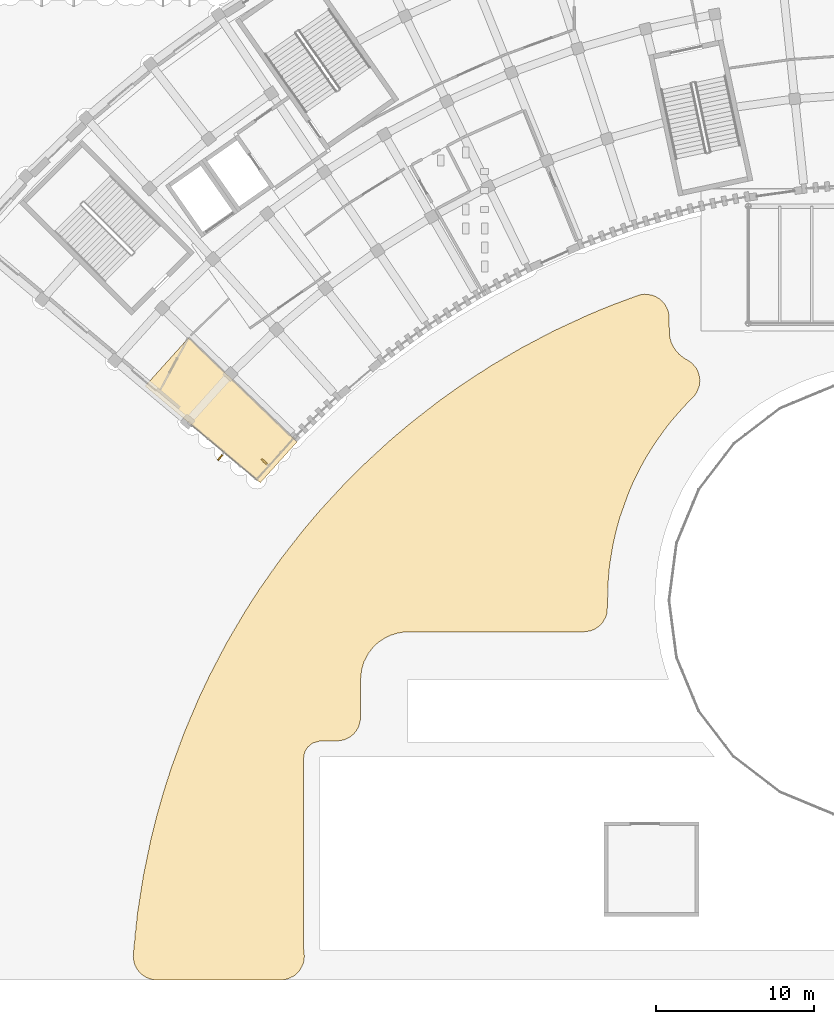
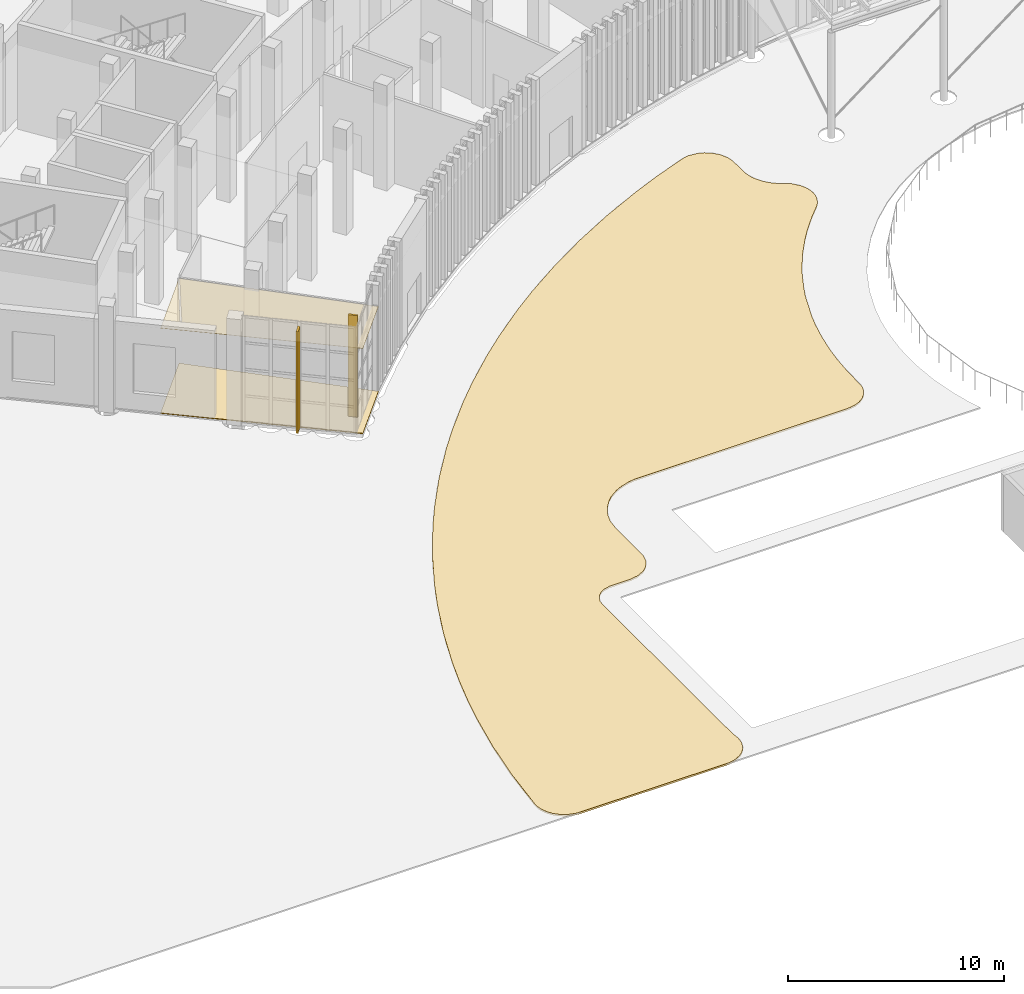
# One storey, part 116 of 155: 3 coverings, 2 shading devices.
"""IFC4 building model written with IfcOpenShell, lengths in metres."""

from ifc_helpers import new_model, si_unit, direction, frame, origin, origin_2d, place, context, subcontext, project, spatial, polyline, rectangle, outline, extrude, material, layer, layer_set, type_object, element, save


model = new_model("IFC4")

# Units and contexts
model_context = context("Model", 3, precision=1e-05, world=origin(), true_north=direction((0.0, 1.0)))
body_context = subcontext(model_context, "Body", "Model", "MODEL_VIEW")
ifc_project = project(units=[si_unit("LENGTHUNIT", "METRE"), si_unit("AREAUNIT", "SQUARE_METRE"), si_unit("VOLUMEUNIT", "CUBIC_METRE"), si_unit("PLANEANGLEUNIT", "RADIAN"), si_unit("MASSUNIT", "GRAM", prefix="KILO")], contexts=[model_context])

# Site, building, storey
site_placement = place(None, origin())
site = spatial("IfcSite", under=ifc_project, at=site_placement, CompositionType="ELEMENT")
building_placement = place(site_placement, origin())
building = spatial("IfcBuilding", under=site, at=building_placement, Name="Lunette Opera House", CompositionType="ELEMENT")
storey_placement = place(building_placement, origin())
storey = spatial("IfcBuildingStorey", under=building, at=storey_placement, Name="L00", CompositionType="ELEMENT", Elevation=0.0)

# Covering
ifc_material_1 = material(Name="Turf on topsoil")
ifc_layer_1 = layer(ifc_material_1, 0.10009765625)
ifc_layer_set_1 = layer_set([ifc_layer_1], Name="Turf on topsoil")
covering_type_1 = type_object("IfcCoveringType", Name="FORECOURT LAWN 100", PredefinedType="FLOORING", material=ifc_layer_set_1)
covering_1_placement = place(storey_placement, frame((0.0, 0.0, -0.10009765625)))
element("IfcCovering", 1, at=covering_1_placement, inside=storey, type_object=covering_type_1, Name="Forecourt lawn 001", PredefinedType="FLOORING", context=body_context, shape_type="SweptSolid", body=[
    extrude(outline(polyline([(49.489013671875, 2.007080078125), (49.2041015625, 2.06298828125), (48.93603515625, 2.172119140625), (48.694091796875, 2.3310546875), (48.486083984375, 2.532958984375), (48.322021484375, 2.77197265625), (48.2060546875, 3.0380859375), (48.14404296875, 3.321044921875), (48.137939453125, 3.610107421875), (48.408935546875, 6.2529296875), (48.778076171875, 8.60498046875), (49.257080078125, 10.912109375), (49.632080078125, 12.410888671875), (50.06298828125, 13.922119140625), (50.551025390625, 15.44091796875), (51.364013671875, 17.652099609375), (52.27392578125, 19.799072265625), (52.9560546875, 21.240966796875), (54.050048828125, 23.326904296875), (55.23193359375, 25.3369140625), (56.095947265625, 26.677978515625), (57.452880859375, 28.60302734375), (58.887939453125, 30.44091796875), (59.919921875, 31.657958984375), (61.5, 33.3720703125), (62.6279296875, 34.5), (64.342041015625, 36.080078125), (65.55908203125, 37.112060546875), (67.39697265625, 38.547119140625), (68.693115234375, 39.47607421875), (70.6630859375, 40.76806640625), (72.694091796875, 41.9619140625), (74.759033203125, 43.0439453125), (76.89697265625, 44.034912109375), (78.37109375, 44.64501953125), (80.15087890625, 45.298095703125), (80.447998046875, 45.339111328125), (80.89501953125, 45.285888671875), (81.176025390625, 45.178955078125), (81.428955078125, 45.01708984375), (81.736083984375, 44.68896484375), (81.93310546875, 44.283935546875), (81.991943359375, 43.989990234375), (82.014892578125, 42.76806640625), (82.076904296875, 42.455078125), (82.16796875, 42.200927734375), (82.35888671875, 41.85888671875), (82.613037109375, 41.56103515625), (82.85888671875, 41.35888671875), (83.43994140625, 40.986083984375), (83.717041015625, 40.653076171875), (83.843994140625, 40.39306640625), (83.91796875, 40.114013671875), (83.93701171875, 39.824951171875), (83.90087890625, 39.5390625), (83.74609375, 39.135009765625), (83.580078125, 38.89697265625), (82.89794921875, 38.196044921875), (82.19091796875, 37.388916015625), (81.76611328125, 36.85302734375), (81.093017578125, 35.908935546875), (80.52587890625, 34.998046875), (80.194091796875, 34.39990234375), (79.718994140625, 33.43798828125), (79.446044921875, 32.81005859375), (78.884033203125, 31.237060546875), (78.696044921875, 30.5791015625), (78.452880859375, 29.533935546875), (78.260986328125, 28.39111328125), (78.180908203125, 27.699951171875), (78.111083984375, 26.62890625), (78.0830078125, 25.22802734375), (78.0, 24.943115234375), (77.77587890625, 24.55908203125), (77.56689453125, 24.346923828125), (77.321044921875, 24.180908203125), (77.047119140625, 24.06591796875), (76.60791015625, 24.0), (65.242919921875, 23.987060546875), (64.87890625, 23.93310546875), (64.386962890625, 23.783935546875), (64.053955078125, 23.626953125), (63.6259765625, 23.341064453125), (63.35400390625, 23.093994140625), (62.987060546875, 22.635009765625), (62.716064453125, 22.113037109375), (62.56689453125, 21.62109375), (62.5, 20.98193359375), (62.492919921875, 18.452880859375), (62.385986328125, 18.02587890625), (62.2470703125, 17.76708984375), (62.06103515625, 17.5390625), (61.8330078125, 17.35302734375), (61.43505859375, 17.1650390625), (61.0, 17.10009765625), (59.9208984375, 17.095947265625), (59.531982421875, 16.9951171875), (59.346923828125, 16.885009765625), (59.1689453125, 16.718994140625), (59.01611328125, 16.490966796875), (58.93408203125, 16.27001953125), (58.89990234375, 15.990966796875), (58.89990234375, 4.009033203125), (58.949951171875, 3.5), (58.885009765625, 3.06494140625), (58.697021484375, 2.6669921875), (58.510009765625, 2.43896484375), (58.282958984375, 2.2529296875), (57.885009765625, 2.06494140625), (57.596923828125, 2.007080078125), (49.489013671875, 2.007080078125)])), origin(), (0.0, 0.0, 1.0), 0.10009765625),
])

# Shading devices
ifc_material_2 = material(Name="Powder-coated aluminium", Category="aluminium")
shading_device_type = type_object("IfcShadingDeviceType", Name="SOLAR FIN 100 X 450", PredefinedType="USERDEFINED", material=ifc_material_2)
for number, where, z_axis, x_axis, name in (
    (2, (56.4140625, 34.757080078125, 0.1142578125), (0.0, 0.0, 1.0), (-0.74421712619, 0.667937773363, 0.0), "Solar fin FC-X2161 2"),
    (3, (53.626953125, 35.027099609375, 0.1142578125), (0.0, 0.0, 1.0), (-0.642827718799, -0.766010785788, 0.0), "Solar fin FC-X2162 2"),
):
    element("IfcShadingDevice", number, at=place(storey_placement, frame(where, z_axis=z_axis, x_axis=x_axis)), inside=storey, type_object=shading_device_type, Name=name, ObjectType="SOLAR FIN", PredefinedType="USERDEFINED", context=body_context, shape_type="SweptSolid", body=[
        extrude(rectangle(XDim=0.449951171875, YDim=0.10009765625, at=origin_2d()), origin(), (0.0, 0.0, 1.0), 5.735107421875),
    ])

# Coverings
ifc_material_3 = material(Name="Mineral fibre board")
ifc_layer_2 = layer(ifc_material_3, 0.014892578125)
ifc_layer_set_2 = layer_set([ifc_layer_2], Name="Mineral fibre board")
covering_type_2 = type_object("IfcCoveringType", Name="SUSPENDED ACOUSTIC CEILING 15", PredefinedType="CEILING", material=ifc_layer_set_2)
covering_2_placement = place(storey_placement, frame((0.0, 0.0, 4.81494140625)))
element("IfcCovering", 4, at=covering_2_placement, inside=storey, type_object=covering_type_2, Name="Ceiling Fire Control Room", PredefinedType="CEILING", context=body_context, shape_type="SweptSolid", body=[
    extrude(outline(polyline([(56.166015625, 33.425048828125), (52.8359375, 36.218994140625), (48.887939453125, 39.531005859375), (51.637939453125, 42.5849609375), (58.490966796875, 36.007080078125), (57.85498046875, 35.302001953125), (56.166015625, 33.425048828125)])), origin(), (0.0, 0.0, 1.0), 0.01513671875),
])
ifc_material_4 = material(Name="Timber", Category="wood")
ifc_layer_3 = layer(ifc_material_4, 0.0400390625)
ifc_layer_set_3 = layer_set([ifc_layer_3], Name="Timber")
covering_type_3 = type_object("IfcCoveringType", Name="TIMBER FLOOR FINISH 40", PredefinedType="FLOORING", material=ifc_layer_set_3)
covering_3_placement = place(storey_placement, origin())
element("IfcCovering", 5, at=covering_3_placement, inside=storey, type_object=covering_type_3, Name="Floor finish Fire Control Room", PredefinedType="FLOORING", context=body_context, shape_type="SweptSolid", body=[
    extrude(outline(polyline([(56.166015625, 33.425048828125), (52.8359375, 36.218994140625), (48.887939453125, 39.531005859375), (51.637939453125, 42.5849609375), (58.490966796875, 36.007080078125), (57.85498046875, 35.302001953125), (56.166015625, 33.425048828125)])), origin(), (0.0, 0.0, 1.0), 0.0400390625),
])

save(model, "model.ifc")
